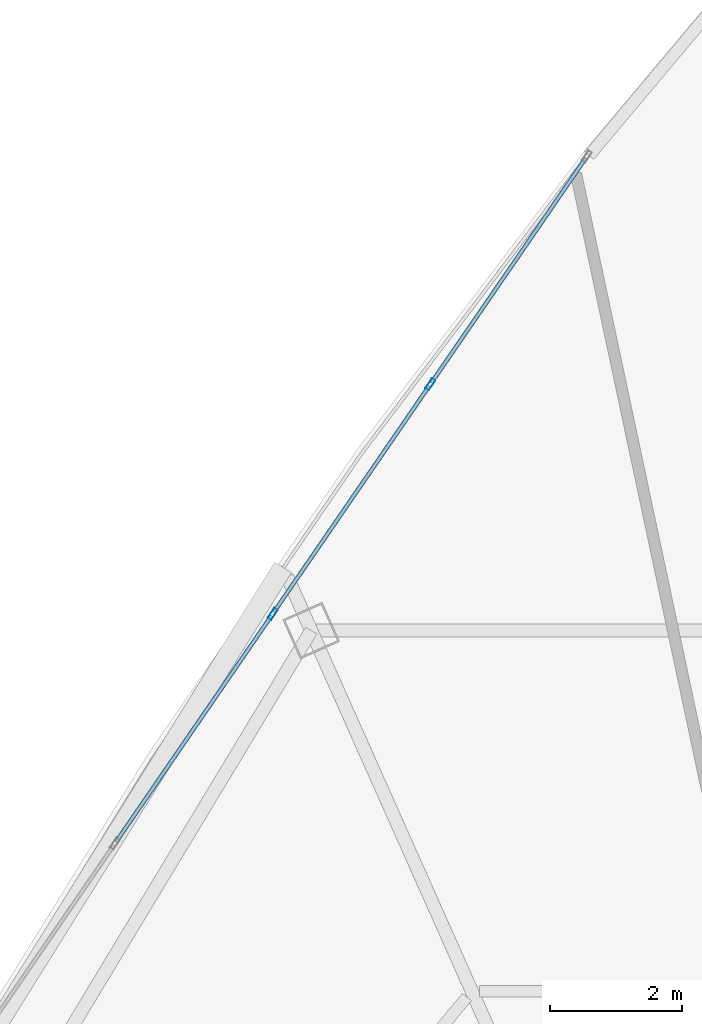
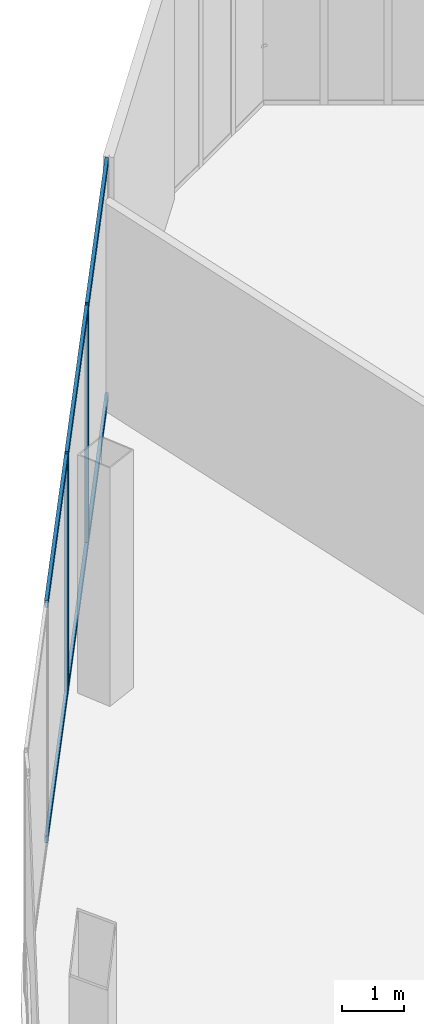
# One storey, part 23 of 33: 8 members, 1 element without a shape of its own.
"""IFC4 building model written with IfcOpenShell, lengths in metres."""

from ifc_helpers import new_model, si_unit, direction, frame, origin, origin_2d, place, context, subcontext, project, spatial, hollow_rectangle, extrude, source, transform, mapped, material, layer, layer_set, material_profile, profile_set, type_object, element, aggregate, save


model = new_model("IFC4")

# Units and contexts
model_context = context("Model", 3, precision=1e-05, world=origin(), true_north=direction((0.0, 1.0)))
body_context = subcontext(model_context, "Body", "Model", "MODEL_VIEW")
ifc_project = project(units=[si_unit("LENGTHUNIT", "METRE"), si_unit("AREAUNIT", "SQUARE_METRE"), si_unit("VOLUMEUNIT", "CUBIC_METRE"), si_unit("PLANEANGLEUNIT", "RADIAN"), si_unit("MASSUNIT", "GRAM", prefix="KILO"), si_unit("THERMODYNAMICTEMPERATUREUNIT", "KELVIN"), si_unit("POWERUNIT", "WATT")], contexts=[model_context])

# Site, building, storey
site_placement = place(None, origin())
site = spatial("IfcSite", under=ifc_project, at=site_placement, CompositionType="ELEMENT")
building_placement = place(site_placement, origin())
building = spatial("IfcBuilding", under=site, at=building_placement, Name="Yunzhuo Pagoda Commons", CompositionType="ELEMENT")
storey_placement = place(building_placement, frame((0.0, 0.0, 391.760009765625)))
storey = spatial("IfcBuildingStorey", under=building, at=storey_placement, Name="L97", CompositionType="ELEMENT", Elevation=391.760009765625)

# Curtain wall, members
ifc_material = material(Name="Anodized aluminium 6063-T6", Category="aluminium")
ifc_layer = layer(ifc_material, 0.179931640625)
ifc_layer_set = layer_set([ifc_layer], Name="Anodized aluminium 6063-T6")
curtain_wall_type = type_object("IfcCurtainWallType", Name="CW-CRN Crown Gable Glazing System", PredefinedType="NOTDEFINED", material=ifc_layer_set)
curtain_wall_placement = place(storey_placement, origin())
curtain_wall = element("IfcCurtainWall", 1, at=curtain_wall_placement, inside=storey, type_object=curtain_wall_type, Name="L97 curtain wall CW-L97-CRNF3G1", PredefinedType="NOTDEFINED")
ifc_material_profile_1 = material_profile(ifc_material, hollow_rectangle(XDim=0.06494140625, YDim=0.179931640625, WallThickness=0.00390625, at=origin_2d()), Name="Anodized aluminium 6063-T6")
ifc_profile_set_1 = profile_set([ifc_material_profile_1], Name="Anodized aluminium 6063-T6")
member_type_1 = type_object("IfcMemberType", Name="CW-CRN-M Mullion RHS 180x65x4", PredefinedType="MULLION", material=ifc_profile_set_1)
shared_shape_1 = source(origin(), body_context, "Body", "SweptSolid", [
    extrude(hollow_rectangle(XDim=0.06494140625, YDim=0.179931640625, WallThickness=0.00390625, at=origin_2d()), origin(), (0.0, 0.0, 1.0), 4.72021484375),
])
member_1_placement = place(storey_placement, frame((39.306640625, 61.014892578125, 0.0), z_axis=(0.0, 0.0, 1.0), x_axis=(0.824296116005, -0.566158911561, 0.0)))
member_1 = element("IfcMember", 2, at=member_1_placement, type_object=member_type_1, Name="CW mullion 2", PredefinedType="MULLION", context=body_context, shape_type="MappedRepresentation", body=[
    mapped(shared_shape_1, transform((0.0, 0.0, 0.0), scale=1.0)),
])
member_2_placement = place(storey_placement, frame((36.916015625, 57.5341796875, 0.0), z_axis=(0.0, 0.0, 1.0), x_axis=(0.824296116005, -0.566158911561, 0.0)))
member_2 = element("IfcMember", 3, at=member_2_placement, type_object=member_type_1, Name="CW mullion 3", PredefinedType="MULLION", context=body_context, shape_type="MappedRepresentation", body=[
    mapped(shared_shape_1, transform((0.0, 0.0, 0.0), scale=1.0)),
])
ifc_material_profile_2 = material_profile(ifc_material, hollow_rectangle(XDim=0.06005859375, YDim=0.139892578125, WallThickness=0.00341796875, at=origin_2d()), Name="Anodized aluminium 6063-T6")
ifc_profile_set_2 = profile_set([ifc_material_profile_2], Name="Anodized aluminium 6063-T6")
member_type_2 = type_object("IfcMemberType", Name="CW-CRN-T Transom RHS 140x60x3.5", PredefinedType="USERDEFINED", material=ifc_profile_set_2)
shared_shape_2 = source(origin(), body_context, "Body", "SweptSolid", [
    extrude(hollow_rectangle(XDim=0.06005859375, YDim=0.139892578125, WallThickness=0.00341796875, at=origin_2d()), origin(), (0.0, 0.0, 1.0), 4.12548828125),
])
member_3_placement = place(storey_placement, frame((41.660888671875, 64.442138671875, 0.030029296875), z_axis=(-0.566159568277, -0.824295664946, 0.0), x_axis=(0.824295664946, -0.566159568277, 0.0)))
member_3 = element("IfcMember", 4, at=member_3_placement, type_object=member_type_2, Name="CW transom 1.1", ObjectType="TRANSOM", PredefinedType="USERDEFINED", context=body_context, shape_type="MappedRepresentation", body=[
    mapped(shared_shape_2, transform((0.0, 0.0, 0.0), scale=1.0)),
])
member_4_placement = place(storey_placement, frame((41.660888671875, 64.442138671875, 4.68994140625), z_axis=(-0.566159568277, -0.824295664946, 0.0), x_axis=(0.824295664946, -0.566159568277, 0.0)))
member_4 = element("IfcMember", 5, at=member_4_placement, type_object=member_type_2, Name="CW transom 1.2", ObjectType="TRANSOM", PredefinedType="USERDEFINED", context=body_context, shape_type="MappedRepresentation", body=[
    mapped(shared_shape_2, transform((0.0, 0.0, 0.0), scale=1.0)),
])
shared_shape_3 = source(origin(), body_context, "Body", "SweptSolid", [
    extrude(hollow_rectangle(XDim=0.06005859375, YDim=0.139892578125, WallThickness=0.00341796875, at=origin_2d()), origin(), (0.0, 0.0, 1.0), 4.15771484375),
])
member_5_placement = place(storey_placement, frame((39.288330078125, 60.988037109375, 0.030029296875), z_axis=(-0.566164930277, -0.824291982082, 0.0), x_axis=(0.824291982082, -0.566164930277, 0.0)))
member_5 = element("IfcMember", 6, at=member_5_placement, type_object=member_type_2, Name="CW transom 2.1", ObjectType="TRANSOM", PredefinedType="USERDEFINED", context=body_context, shape_type="MappedRepresentation", body=[
    mapped(shared_shape_3, transform((0.0, 0.0, 0.0), scale=1.0)),
])
member_6_placement = place(storey_placement, frame((39.288330078125, 60.988037109375, 4.68994140625), z_axis=(-0.566164930277, -0.824291982082, 0.0), x_axis=(0.824291982082, -0.566164930277, 0.0)))
member_6 = element("IfcMember", 7, at=member_6_placement, type_object=member_type_2, Name="CW transom 2.2", ObjectType="TRANSOM", PredefinedType="USERDEFINED", context=body_context, shape_type="MappedRepresentation", body=[
    mapped(shared_shape_3, transform((0.0, 0.0, 0.0), scale=1.0)),
])
member_7_placement = place(storey_placement, frame((36.897705078125, 57.50732421875, 0.030029296875), z_axis=(-0.566164930277, -0.824291982082, 0.0), x_axis=(0.824291982082, -0.566164930277, 0.0)))
member_7 = element("IfcMember", 8, at=member_7_placement, type_object=member_type_2, Name="CW transom 3.1", ObjectType="TRANSOM", PredefinedType="USERDEFINED", context=body_context, shape_type="MappedRepresentation", body=[
    mapped(shared_shape_3, transform((0.0, 0.0, 0.0), scale=1.0)),
])
member_8_placement = place(storey_placement, frame((36.897705078125, 57.50732421875, 4.68994140625), z_axis=(-0.566164930277, -0.824291982082, 0.0), x_axis=(0.824291982082, -0.566164930277, 0.0)))
member_8 = element("IfcMember", 9, at=member_8_placement, type_object=member_type_2, Name="CW transom 3.2", ObjectType="TRANSOM", PredefinedType="USERDEFINED", context=body_context, shape_type="MappedRepresentation", body=[
    mapped(shared_shape_3, transform((0.0, 0.0, 0.0), scale=1.0)),
])
aggregate(curtain_wall, [member_1, member_2, member_3, member_4, member_5, member_6, member_7, member_8])

save(model, "model.ifc")
